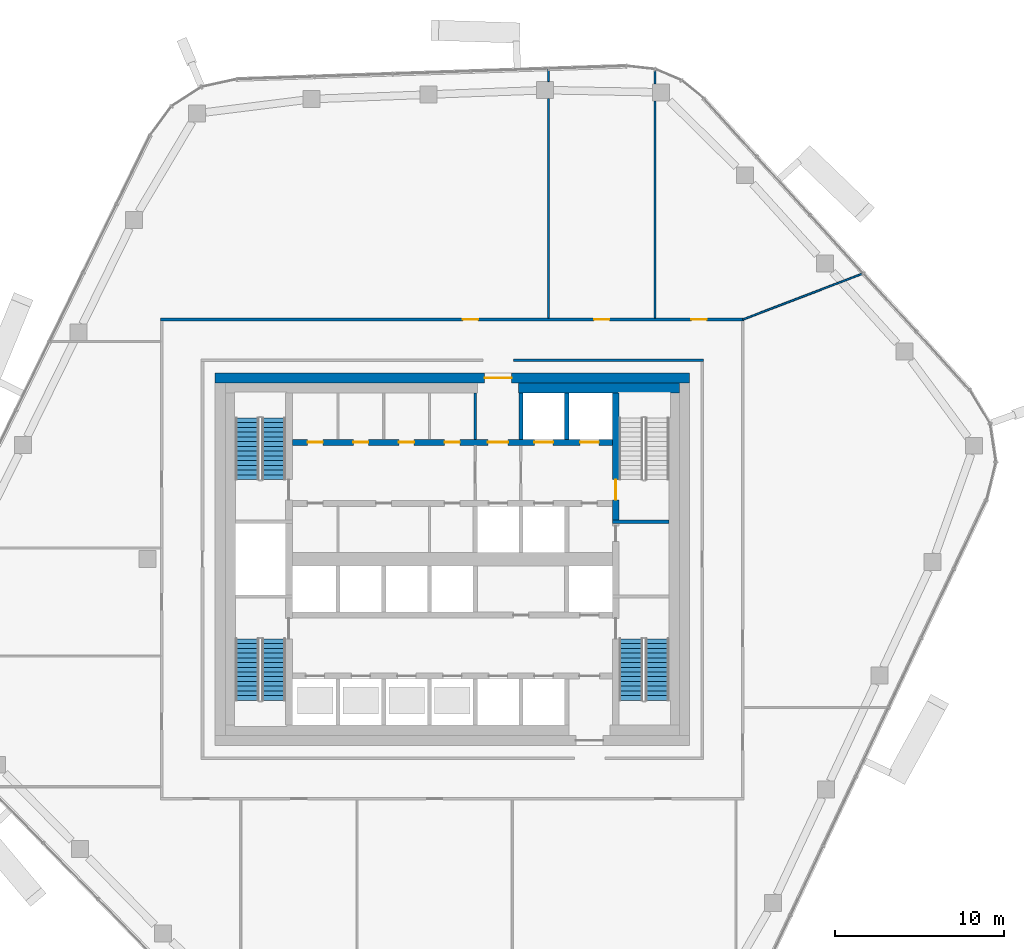
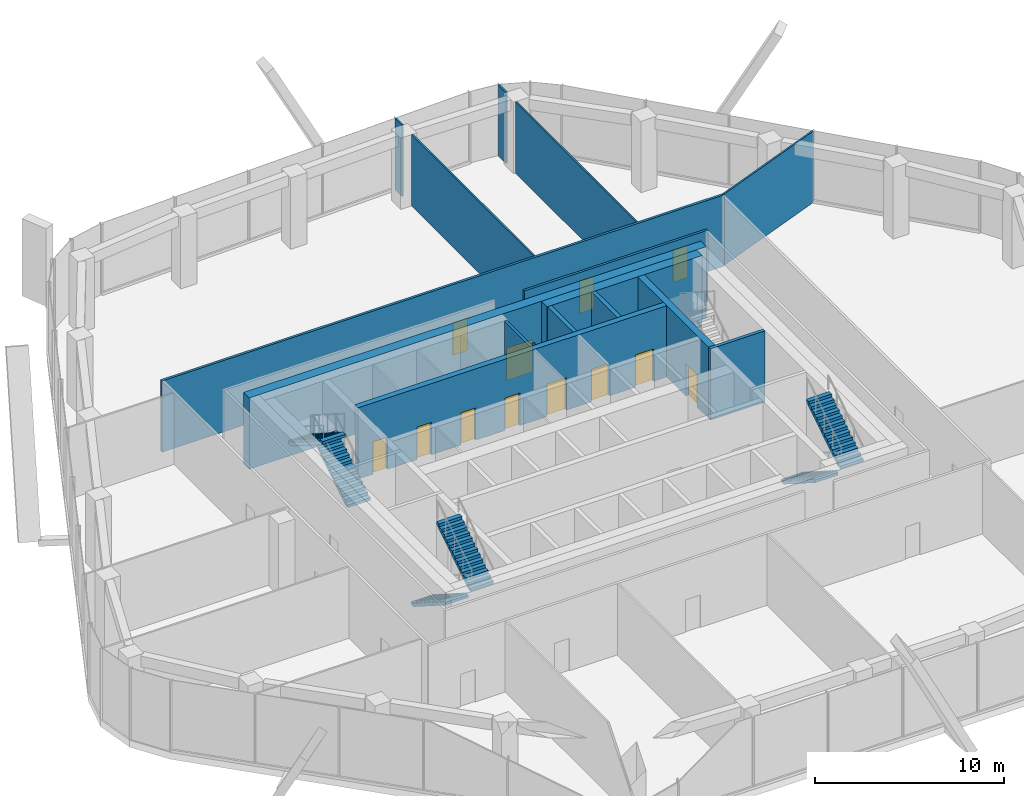
# One storey, part 12 of 20: 15 walls, 12 doors, 6 stair flights, 12 openings, 3 elements without a shape of their own.
"""IFC4 building model written with IfcOpenShell, lengths in metres."""

from ifc_helpers import new_model, si_unit, direction, frame, frame_2d, origin, place, context, subcontext, project, spatial, polyline, rectangle, outline, extrude, material, layer, layer_set, type_object, element, fill, aggregate, save


model = new_model("IFC4")

# Units and contexts
model_context = context("Model", 3, precision=1e-05, world=origin(), true_north=direction((0.0, 1.0)))
body_context = subcontext(model_context, "Body", "Model", "MODEL_VIEW")
ifc_project = project(units=[si_unit("LENGTHUNIT", "METRE"), si_unit("AREAUNIT", "SQUARE_METRE"), si_unit("VOLUMEUNIT", "CUBIC_METRE"), si_unit("PLANEANGLEUNIT", "RADIAN"), si_unit("MASSUNIT", "GRAM", prefix="KILO")], contexts=[model_context])

# Site, building, storey
site_placement = place(None, origin())
site = spatial("IfcSite", under=ifc_project, at=site_placement, CompositionType="ELEMENT")
building_placement = place(site_placement, origin())
building = spatial("IfcBuilding", under=site, at=building_placement, Name="Dongbaek Canopy Tower", CompositionType="ELEMENT")
storey_placement = place(building_placement, frame((0.0, 0.0, 289.199951171875)))
storey = spatial("IfcBuildingStorey", under=building, at=storey_placement, Name="L61", CompositionType="ELEMENT", Elevation=289.199951171875)

# Wall, openings, doors
ifc_material_1 = material(Name="Concrete C60/75", Category="concrete")
ifc_layer_1 = layer(ifc_material_1, 0.35009765625)
ifc_layer_set_1 = layer_set([ifc_layer_1], Name="Core lobby wall 350 Concrete C60/75")
wall_type_1 = type_object("IfcWallType", Name="Core lobby wall 350 Concrete C60/75", PredefinedType="SHEAR", material=ifc_layer_set_1)
wall_1_placement = place(storey_placement, frame((-9.449951171875, 6.89990234375, 0.0), z_axis=(0.0, 0.0, 1.0), x_axis=(1.0, 0.0, 0.0)))
wall_1 = element("IfcWall", 1, at=wall_1_placement, inside=storey, type_object=wall_type_1, Name="Core wall", PredefinedType="SHEAR", context=body_context, shape_type="SweptSolid", body=[
    extrude(rectangle(XDim=18.89990234375, YDim=0.35009765625, at=frame_2d((9.449951171875, 0.0))), origin(), (0.0, 0.0, 1.0), 4.6201171875),
])
opening_1_placement = place(wall_1_placement, frame((11.550048828125, 0.0, 0.0)))
opening_1 = element("IfcOpeningElement", 2, at=opening_1_placement, cuts=wall_1, Name="Opening L61-D017", PredefinedType="OPENING", context=body_context, shape_type="SweptSolid", body=[
    extrude(rectangle(XDim=1.199951171875, YDim=2.10009765625, at=frame_2d((0.60009765625, 1.050048828125))), frame((0.0, 0.18505859375, 0.0), z_axis=(0.0, -1.0, 0.0), x_axis=(1.0, 0.0, 0.0)), (0.0, 0.0, 1.0), 0.3701171875),
])
opening_2_placement = place(wall_1_placement, frame((14.300048828125, 0.0, 0.0)))
opening_2 = element("IfcOpeningElement", 3, at=opening_2_placement, cuts=wall_1, Name="Opening L61-D018", PredefinedType="OPENING", context=body_context, shape_type="SweptSolid", body=[
    extrude(rectangle(XDim=1.10009765625, YDim=2.10009765625, at=frame_2d((0.550048828125, 1.050048828125))), frame((0.0, 0.18505859375, 0.0), z_axis=(0.0, -1.0, 0.0), x_axis=(1.0, 0.0, 0.0)), (0.0, 0.0, 1.0), 0.3701171875),
])
opening_3_placement = place(wall_1_placement, frame((17.0, 0.0, 0.0)))
opening_3 = element("IfcOpeningElement", 4, at=opening_3_placement, cuts=wall_1, Name="Opening L61-D019", PredefinedType="OPENING", context=body_context, shape_type="SweptSolid", body=[
    extrude(rectangle(XDim=1.10009765625, YDim=2.10009765625, at=frame_2d((0.550048828125, 1.050048828125))), frame((0.0, 0.18505859375, 0.0), z_axis=(0.0, -1.0, 0.0), x_axis=(1.0, 0.0, 0.0)), (0.0, 0.0, 1.0), 0.3701171875),
])
opening_4_placement = place(wall_1_placement, frame((0.89990234375, 0.0, 0.0)))
opening_4 = element("IfcOpeningElement", 5, at=opening_4_placement, cuts=wall_1, Name="Opening L61-D032", PredefinedType="OPENING", context=body_context, shape_type="SweptSolid", body=[
    extrude(rectangle(XDim=0.89990234375, YDim=2.10009765625, at=frame_2d((0.449951171875, 1.050048828125))), frame((0.0, 0.18505859375, 0.0), z_axis=(0.0, -1.0, 0.0), x_axis=(1.0, 0.0, 0.0)), (0.0, 0.0, 1.0), 0.3701171875),
])
opening_5_placement = place(wall_1_placement, frame((3.60009765625, 0.0, 0.0)))
opening_5 = element("IfcOpeningElement", 6, at=opening_5_placement, cuts=wall_1, Name="Opening L61-D033", PredefinedType="OPENING", context=body_context, shape_type="SweptSolid", body=[
    extrude(rectangle(XDim=0.89990234375, YDim=2.10009765625, at=frame_2d((0.449951171875, 1.050048828125))), frame((0.0, 0.18505859375, 0.0), z_axis=(0.0, -1.0, 0.0), x_axis=(1.0, 0.0, 0.0)), (0.0, 0.0, 1.0), 0.3701171875),
])
opening_6_placement = place(wall_1_placement, frame((6.300048828125, 0.0, 0.0)))
opening_6 = element("IfcOpeningElement", 7, at=opening_6_placement, cuts=wall_1, Name="Opening L61-D034", PredefinedType="OPENING", context=body_context, shape_type="SweptSolid", body=[
    extrude(rectangle(XDim=0.89990234375, YDim=2.10009765625, at=frame_2d((0.449951171875, 1.050048828125))), frame((0.0, 0.18505859375, 0.0), z_axis=(0.0, -1.0, 0.0), x_axis=(1.0, 0.0, 0.0)), (0.0, 0.0, 1.0), 0.3701171875),
])
opening_7_placement = place(wall_1_placement, frame((9.0, 0.0, 0.0)))
opening_7 = element("IfcOpeningElement", 8, at=opening_7_placement, cuts=wall_1, Name="Opening L61-D035", PredefinedType="OPENING", context=body_context, shape_type="SweptSolid", body=[
    extrude(rectangle(XDim=0.89990234375, YDim=2.10009765625, at=frame_2d((0.449951171875, 1.050048828125))), frame((0.0, 0.18505859375, 0.0), z_axis=(0.0, -1.0, 0.0), x_axis=(1.0, 0.0, 0.0)), (0.0, 0.0, 1.0), 0.3701171875),
])
ifc_material_2 = material(Name="Steel", Category="steel")
door_type_1 = type_object("IfcDoorType", Name="Core room door 900 x 2100", OperationType="SINGLE_SWING_LEFT", PredefinedType="DOOR", material=ifc_material_2)
door_1_placement = place(opening_4_placement, origin())
door_1 = element("IfcDoor", 9, at=door_1_placement, inside=storey, type_object=door_type_1, Name="Door L61-D032", OperationType="SINGLE_SWING_RIGHT", OverallHeight=2.10009765625, OverallWidth=0.89990234375, PredefinedType="DOOR", context=body_context, shape_type="SweptSolid", body=[
    extrude(rectangle(XDim=0.89990234375, YDim=2.10009765625, at=frame_2d((0.449951171875, 1.050048828125))), frame((0.0, 0.02490234375, 0.0), z_axis=(0.0, -1.0, 0.0), x_axis=(1.0, 0.0, 0.0)), (0.0, 0.0, 1.0), 0.050048828125),
])
fill(opening_4, door_1)
door_2_placement = place(opening_5_placement, origin())
door_2 = element("IfcDoor", 10, at=door_2_placement, inside=storey, type_object=door_type_1, Name="Door L61-D033", OperationType="SINGLE_SWING_LEFT", OverallHeight=2.10009765625, OverallWidth=0.89990234375, PredefinedType="DOOR", context=body_context, shape_type="SweptSolid", body=[
    extrude(rectangle(XDim=0.89990234375, YDim=2.10009765625, at=frame_2d((0.449951171875, 1.050048828125))), frame((0.0, 0.02490234375, 0.0), z_axis=(0.0, -1.0, 0.0), x_axis=(1.0, 0.0, 0.0)), (0.0, 0.0, 1.0), 0.050048828125),
])
fill(opening_5, door_2)
door_3_placement = place(opening_6_placement, origin())
door_3 = element("IfcDoor", 11, at=door_3_placement, inside=storey, type_object=door_type_1, Name="Door L61-D034", OperationType="SINGLE_SWING_RIGHT", OverallHeight=2.10009765625, OverallWidth=0.89990234375, PredefinedType="DOOR", context=body_context, shape_type="SweptSolid", body=[
    extrude(rectangle(XDim=0.89990234375, YDim=2.10009765625, at=frame_2d((0.449951171875, 1.050048828125))), frame((0.0, 0.02490234375, 0.0), z_axis=(0.0, -1.0, 0.0), x_axis=(1.0, 0.0, 0.0)), (0.0, 0.0, 1.0), 0.050048828125),
])
fill(opening_6, door_3)
door_4_placement = place(opening_7_placement, origin())
door_4 = element("IfcDoor", 12, at=door_4_placement, inside=storey, type_object=door_type_1, Name="Door L61-D035", OperationType="SINGLE_SWING_LEFT", OverallHeight=2.10009765625, OverallWidth=0.89990234375, PredefinedType="DOOR", context=body_context, shape_type="SweptSolid", body=[
    extrude(rectangle(XDim=0.89990234375, YDim=2.10009765625, at=frame_2d((0.449951171875, 1.050048828125))), frame((0.0, 0.02490234375, 0.0), z_axis=(0.0, -1.0, 0.0), x_axis=(1.0, 0.0, 0.0)), (0.0, 0.0, 1.0), 0.050048828125),
])
fill(opening_7, door_4)
ifc_material_3 = material(Name="Steel", Category="steel")
door_type_2 = type_object("IfcDoorType", Name="Fire lobby door 1200 x 2100", OperationType="SINGLE_SWING_LEFT", PredefinedType="DOOR", material=ifc_material_3)
door_5_placement = place(opening_1_placement, origin())
door_5 = element("IfcDoor", 13, at=door_5_placement, inside=storey, type_object=door_type_2, Name="Door L61-D017", OperationType="SINGLE_SWING_LEFT", OverallHeight=2.10009765625, OverallWidth=1.199951171875, PredefinedType="DOOR", context=body_context, shape_type="SweptSolid", body=[
    extrude(rectangle(XDim=1.199951171875, YDim=2.10009765625, at=frame_2d((0.60009765625, 1.050048828125))), frame((0.0, 0.02490234375, 0.0), z_axis=(0.0, -1.0, 0.0), x_axis=(1.0, 0.0, 0.0)), (0.0, 0.0, 1.0), 0.050048828125),
])
fill(opening_1, door_5)
ifc_material_4 = material(Name="Stainless steel", Category="steel")
door_type_3 = type_object("IfcDoorType", Name="Lift landing door 1100 x 2100", OperationType="DOUBLE_DOOR_SLIDING", PredefinedType="DOOR", material=ifc_material_4)
door_6_placement = place(opening_2_placement, origin())
door_6 = element("IfcDoor", 14, at=door_6_placement, inside=storey, type_object=door_type_3, Name="Landing door FF1", OperationType="DOUBLE_DOOR_SLIDING", OverallHeight=2.10009765625, OverallWidth=1.10009765625, PredefinedType="DOOR", context=body_context, shape_type="SweptSolid", body=[
    extrude(rectangle(XDim=1.10009765625, YDim=2.10009765625, at=frame_2d((0.550048828125, 1.050048828125))), frame((0.0, 0.02490234375, 0.0), z_axis=(0.0, -1.0, 0.0), x_axis=(1.0, 0.0, 0.0)), (0.0, 0.0, 1.0), 0.050048828125),
])
fill(opening_2, door_6)
door_7_placement = place(opening_3_placement, origin())
door_7 = element("IfcDoor", 15, at=door_7_placement, inside=storey, type_object=door_type_3, Name="Landing door FF2", OperationType="DOUBLE_DOOR_SLIDING", OverallHeight=2.10009765625, OverallWidth=1.10009765625, PredefinedType="DOOR", context=body_context, shape_type="SweptSolid", body=[
    extrude(rectangle(XDim=1.10009765625, YDim=2.10009765625, at=frame_2d((0.550048828125, 1.050048828125))), frame((0.0, 0.02490234375, 0.0), z_axis=(0.0, -1.0, 0.0), x_axis=(1.0, 0.0, 0.0)), (0.0, 0.0, 1.0), 0.050048828125),
])
fill(opening_3, door_7)

# Wall, opening, door
ifc_material_5 = material(Name="Concrete C80/95", Category="concrete")
ifc_layer_2 = layer(ifc_material_5, 0.60009765625)
ifc_layer_set_2 = layer_set([ifc_layer_2], Name="Core outer wall 600 Concrete C80/95")
wall_type_2 = type_object("IfcWallType", Name="Core outer wall 600 Concrete C80/95", PredefinedType="SHEAR", material=ifc_layer_set_2)
wall_2_placement = place(storey_placement, frame((-14.0, 10.699951171875, 0.0), z_axis=(0.0, 0.0, 1.0), x_axis=(1.0, 0.0, 0.0)))
wall_2 = element("IfcWall", 16, at=wall_2_placement, inside=storey, type_object=wall_type_2, Name="Core wall", PredefinedType="SHEAR", context=body_context, shape_type="SweptSolid", body=[
    extrude(rectangle(XDim=28.0, YDim=0.60009765625, at=frame_2d((14.0, 0.0))), origin(), (0.0, 0.0, 1.0), 4.6201171875),
])
opening_8_placement = place(wall_2_placement, frame((15.89990234375, 0.0, 0.0)))
opening_8 = element("IfcOpeningElement", 17, at=opening_8_placement, cuts=wall_2, Name="Opening L61-D016", PredefinedType="OPENING", context=body_context, shape_type="SweptSolid", body=[
    extrude(rectangle(XDim=1.60009765625, YDim=2.10009765625, at=frame_2d((0.800048828125, 1.050048828125))), frame((0.0, 0.31005859375, 0.0), z_axis=(0.0, -1.0, 0.0), x_axis=(1.0, 0.0, 0.0)), (0.0, 0.0, 1.0), 0.6201171875),
])
ifc_material_6 = material(Name="Steel", Category="steel")
door_type_4 = type_object("IfcDoorType", Name="Core exit door 1600 x 2100", OperationType="DOUBLE_DOOR_SINGLE_SWING", PredefinedType="DOOR", material=ifc_material_6)
door_8_placement = place(opening_8_placement, origin())
door_8 = element("IfcDoor", 18, at=door_8_placement, inside=storey, type_object=door_type_4, Name="Core exit door", OperationType="DOUBLE_DOOR_SINGLE_SWING", OverallHeight=2.10009765625, OverallWidth=1.60009765625, PredefinedType="DOOR", context=body_context, shape_type="SweptSolid", body=[
    extrude(rectangle(XDim=1.60009765625, YDim=2.10009765625, at=frame_2d((0.800048828125, 1.050048828125))), frame((0.0, 0.02490234375, 0.0), z_axis=(0.0, -1.0, 0.0), x_axis=(1.0, 0.0, 0.0)), (0.0, 0.0, 1.0), 0.050048828125),
])
fill(opening_8, door_8)

# Walls
ifc_material_7 = material(Name="Concrete C60/75", Category="concrete")
ifc_layer_3 = layer(ifc_material_7, 0.60009765625)
ifc_layer_set_3 = layer_set([ifc_layer_3], Name="Core wall lining 600 Concrete C60/75")
wall_type_3 = type_object("IfcWallType", Name="Core wall lining 600 Concrete C60/75", PredefinedType="SHEAR", material=ifc_layer_set_3)
wall_3_placement = place(storey_placement, frame((3.89990234375, 10.10009765625, 0.0), z_axis=(0.0, 0.0, 1.0), x_axis=(1.0, 0.0, 0.0)))
element("IfcWall", 19, at=wall_3_placement, inside=storey, type_object=wall_type_3, Name="Core wall lining", PredefinedType="SHEAR", context=body_context, shape_type="SweptSolid", body=[
    extrude(rectangle(XDim=9.5, YDim=0.60009765625, at=frame_2d((4.75, 0.0))), origin(), (0.0, 0.0, 1.0), 4.6201171875),
])
ifc_material_8 = material(Name="Gypsum board partition, steel stud, 2 x 15 mm fire board", Category="steel")
ifc_layer_4 = layer(ifc_material_8, 0.14990234375)
ifc_layer_set_4 = layer_set([ifc_layer_4], Name="Fire-rated partition 150 gypsum board")
wall_type_4 = type_object("IfcWallType", Name="Fire-rated partition 150 gypsum board", PredefinedType="PARTITIONING", material=ifc_layer_set_4)
wall_4_placement = place(storey_placement, frame((3.60009765625, 11.75, 0.0), z_axis=(0.0, 0.0, 1.0), x_axis=(1.0, 0.0, 0.0)))
element("IfcWall", 20, at=wall_4_placement, inside=storey, type_object=wall_type_4, Name="Corridor partition", PredefinedType="PARTITIONING", context=body_context, shape_type="SweptSolid", body=[
    extrude(rectangle(XDim=11.224853515625, YDim=0.14990234375, at=frame_2d((5.6123046875, 0.0))), origin(), (0.0, 0.0, 1.0), 4.6201171875),
])

# Wall, openings, doors
wall_5_placement = place(storey_placement, frame((-17.22509765625, 14.14990234375, 0.0), z_axis=(0.0, 0.0, 1.0), x_axis=(1.0, 0.0, 0.0)))
wall_5 = element("IfcWall", 21, at=wall_5_placement, inside=storey, type_object=wall_type_4, Name="Corridor partition", PredefinedType="PARTITIONING", context=body_context, shape_type="SweptSolid", body=[
    extrude(rectangle(XDim=34.4501953125, YDim=0.14990234375, at=frame_2d((17.22509765625, 0.0))), origin(), (0.0, 0.0, 1.0), 4.6201171875),
])
opening_9_placement = place(wall_5_placement, frame((31.335205078125, 0.0, 0.0)))
opening_9 = element("IfcOpeningElement", 22, at=opening_9_placement, cuts=wall_5, Name="Opening L61-D009", PredefinedType="OPENING", context=body_context, shape_type="SweptSolid", body=[
    extrude(rectangle(XDim=0.89990234375, YDim=2.10009765625, at=frame_2d((0.449951171875, 1.050048828125))), frame((0.0, 0.0849609375, 0.0), z_axis=(0.0, -1.0, 0.0), x_axis=(1.0, 0.0, 0.0)), (0.0, 0.0, 1.0), 0.169921875),
])
opening_10_placement = place(wall_5_placement, frame((25.60107421875, 0.0, 0.0)))
opening_10 = element("IfcOpeningElement", 23, at=opening_10_placement, cuts=wall_5, Name="Opening L61-D010", PredefinedType="OPENING", context=body_context, shape_type="SweptSolid", body=[
    extrude(rectangle(XDim=0.89990234375, YDim=2.10009765625, at=frame_2d((0.449951171875, 1.050048828125))), frame((0.0, 0.0849609375, 0.0), z_axis=(0.0, -1.0, 0.0), x_axis=(1.0, 0.0, 0.0)), (0.0, 0.0, 1.0), 0.169921875),
])
opening_11_placement = place(wall_5_placement, frame((17.851806640625, 0.0, 0.0)))
opening_11 = element("IfcOpeningElement", 24, at=opening_11_placement, cuts=wall_5, Name="Opening L61-D011", PredefinedType="OPENING", context=body_context, shape_type="SweptSolid", body=[
    extrude(rectangle(XDim=0.89990234375, YDim=2.10009765625, at=frame_2d((0.449951171875, 1.050048828125))), frame((0.0, 0.0849609375, 0.0), z_axis=(0.0, -1.0, 0.0), x_axis=(1.0, 0.0, 0.0)), (0.0, 0.0, 1.0), 0.169921875),
])
ifc_material_9 = material(Name="Timber veneered door leaf", Category="wood")
door_type_5 = type_object("IfcDoorType", Name="Room door 900 x 2100", OperationType="SINGLE_SWING_LEFT", PredefinedType="DOOR", material=ifc_material_9)
door_9_placement = place(opening_9_placement, origin())
door_9 = element("IfcDoor", 25, at=door_9_placement, inside=storey, type_object=door_type_5, Name="Door L61-D009", OperationType="SINGLE_SWING_RIGHT", OverallHeight=2.10009765625, OverallWidth=0.89990234375, PredefinedType="DOOR", context=body_context, shape_type="SweptSolid", body=[
    extrude(rectangle(XDim=0.89990234375, YDim=2.10009765625, at=frame_2d((0.449951171875, 1.050048828125))), frame((0.0, 0.02490234375, 0.0), z_axis=(0.0, -1.0, 0.0), x_axis=(1.0, 0.0, 0.0)), (0.0, 0.0, 1.0), 0.050048828125),
])
fill(opening_9, door_9)
door_10_placement = place(opening_10_placement, origin())
door_10 = element("IfcDoor", 26, at=door_10_placement, inside=storey, type_object=door_type_5, Name="Door L61-D010", OperationType="SINGLE_SWING_LEFT", OverallHeight=2.10009765625, OverallWidth=0.89990234375, PredefinedType="DOOR", context=body_context, shape_type="SweptSolid", body=[
    extrude(rectangle(XDim=0.89990234375, YDim=2.10009765625, at=frame_2d((0.449951171875, 1.050048828125))), frame((0.0, 0.02490234375, 0.0), z_axis=(0.0, -1.0, 0.0), x_axis=(1.0, 0.0, 0.0)), (0.0, 0.0, 1.0), 0.050048828125),
])
fill(opening_10, door_10)
door_11_placement = place(opening_11_placement, origin())
door_11 = element("IfcDoor", 27, at=door_11_placement, inside=storey, type_object=door_type_5, Name="Door L61-D011", OperationType="SINGLE_SWING_RIGHT", OverallHeight=2.10009765625, OverallWidth=0.89990234375, PredefinedType="DOOR", context=body_context, shape_type="SweptSolid", body=[
    extrude(rectangle(XDim=0.89990234375, YDim=2.10009765625, at=frame_2d((0.449951171875, 1.050048828125))), frame((0.0, 0.02490234375, 0.0), z_axis=(0.0, -1.0, 0.0), x_axis=(1.0, 0.0, 0.0)), (0.0, 0.0, 1.0), 0.050048828125),
])
fill(opening_11, door_11)

# Walls
wall_6_placement = place(storey_placement, frame((1.35009765625, 7.074951171875, 0.0), z_axis=(0.0, 0.0, 1.0), x_axis=(0.0, 1.0, 0.0)))
element("IfcWall", 28, at=wall_6_placement, inside=storey, type_object=wall_type_4, Name="Fire lobby partition", PredefinedType="PARTITIONING", context=body_context, shape_type="SweptSolid", body=[
    extrude(rectangle(XDim=2.72509765625, YDim=0.14990234375, at=frame_2d((1.362548828125, 0.0))), origin(), (0.0, 0.0, 1.0), 4.6201171875),
])
ifc_material_10 = material(Name="Concrete C40/50", Category="concrete")
ifc_layer_5 = layer(ifc_material_10, 0.25)
ifc_layer_set_5 = layer_set([ifc_layer_5], Name="Lift shaft wall 250 Concrete C40/50")
wall_type_5 = type_object("IfcWallType", Name="Lift shaft wall 250 Concrete C40/50", PredefinedType="SOLIDWALL", material=ifc_layer_set_5)
for number, where, z_axis, x_axis, name in (
    (29, (6.75, 7.074951171875, 0.0), (0.0, 0.0, 1.0), (0.0, 1.0, 0.0), "Lift shaft wall"),
    (30, (4.050048828125, 7.074951171875, 0.0), (0.0, 0.0, 1.0), (0.0, 1.0, 0.0), "Lift shaft wall"),
):
    element("IfcWall", number, at=place(storey_placement, frame(where, z_axis=z_axis, x_axis=x_axis)), inside=storey, type_object=wall_type_5, Name=name, PredefinedType="SOLIDWALL", context=body_context, shape_type="SweptSolid", body=[
        extrude(rectangle(XDim=2.72509765625, YDim=0.25, at=frame_2d((1.362548828125, 0.0))), origin(), (0.0, 0.0, 1.0), 4.6201171875),
    ])
ifc_material_11 = material(Name="Gypsum board partition, steel stud, 2 x 12.5 mm board", Category="steel")
ifc_layer_6 = layer(ifc_material_11, 0.10009765625)
ifc_layer_set_6 = layer_set([ifc_layer_6], Name="Partition 100 gypsum board")
wall_type_6 = type_object("IfcWallType", Name="Partition 100 gypsum board", PredefinedType="PARTITIONING", material=ifc_layer_set_6)
wall_7_placement = place(storey_placement, frame((17.14990234375, 14.150146484375, 0.0), z_axis=(0.0, 0.0, 1.0), x_axis=(0.93402253364, 0.357214090782, 0.0)))
element("IfcWall", 31, at=wall_7_placement, inside=storey, type_object=wall_type_6, Name="Partition", PredefinedType="PARTITIONING", context=body_context, shape_type="SweptSolid", body=[
    extrude(rectangle(XDim=7.603515625, YDim=0.10009765625, at=frame_2d((3.8017578125, 0.0))), origin(), (0.0, 0.0, 1.0), 4.6201171875),
])
wall_8_placement = place(storey_placement, frame((11.969970703125, 14.22509765625, 0.0), z_axis=(0.0, 0.0, 1.0), x_axis=(0.0, 1.0, 0.0)))
element("IfcWall", 32, at=wall_8_placement, inside=storey, type_object=wall_type_6, Name="Partition", PredefinedType="PARTITIONING", context=body_context, shape_type="SweptSolid", body=[
    extrude(rectangle(XDim=12.837890625, YDim=0.10009765625, at=frame_2d((6.4189453125, 0.0))), origin(), (0.0, 0.0, 1.0), 4.6201171875),
])
wall_9_placement = place(storey_placement, frame((11.969970703125, 28.06298828125, 0.0), z_axis=(0.0, 0.0, 1.0), x_axis=(0.0, 1.0, 0.0)))
element("IfcWall", 33, at=wall_9_placement, inside=storey, type_object=wall_type_6, Name="Partition", PredefinedType="PARTITIONING", context=body_context, shape_type="SweptSolid", body=[
    extrude(rectangle(XDim=0.84521484375, YDim=0.10009765625, at=frame_2d((0.422607421875, 0.0))), origin(), (0.0, 0.0, 1.0), 4.6201171875),
])
wall_10_placement = place(storey_placement, frame((5.681884765625, 14.22509765625, 0.0), z_axis=(0.0, 0.0, 1.0), x_axis=(0.0, 1.0, 0.0)))
element("IfcWall", 34, at=wall_10_placement, inside=storey, type_object=wall_type_6, Name="Partition", PredefinedType="PARTITIONING", context=body_context, shape_type="SweptSolid", body=[
    extrude(rectangle(XDim=12.966796875, YDim=0.10009765625, at=frame_2d((6.4833984375, 0.0))), origin(), (0.0, 0.0, 1.0), 4.6201171875),
])
wall_11_placement = place(storey_placement, frame((5.681884765625, 28.19189453125, 0.0), z_axis=(0.0, 0.0, 1.0), x_axis=(0.0, 1.0, 0.0)))
element("IfcWall", 35, at=wall_11_placement, inside=storey, type_object=wall_type_6, Name="Partition", PredefinedType="PARTITIONING", context=body_context, shape_type="SweptSolid", body=[
    extrude(rectangle(XDim=0.7490234375, YDim=0.10009765625, at=frame_2d((0.37451171875, 0.0))), origin(), (0.0, 0.0, 1.0), 4.6201171875),
])
ifc_material_12 = material(Name="Concrete C60/75", Category="concrete")
ifc_layer_7 = layer(ifc_material_12, 0.199951171875)
ifc_layer_set_7 = layer_set([ifc_layer_7], Name="Riser wall 200 Concrete C60/75")
wall_type_7 = type_object("IfcWallType", Name="Riser wall 200 Concrete C60/75", PredefinedType="SHEAR", material=ifc_layer_set_7)
wall_12_placement = place(storey_placement, frame((9.449951171875, 2.199951171875, 0.0), z_axis=(0.0, 0.0, 1.0), x_axis=(1.0, 0.0, 0.0)))
element("IfcWall", 36, at=wall_12_placement, inside=storey, type_object=wall_type_7, Name="Riser wall", PredefinedType="SHEAR", context=body_context, shape_type="SweptSolid", body=[
    extrude(rectangle(XDim=3.35009765625, YDim=0.199951171875, at=frame_2d((1.675048828125, 0.0))), origin(), (0.0, 0.0, 1.0), 4.6201171875),
])

# Wall, opening, door
ifc_material_13 = material(Name="Concrete C60/75", Category="concrete")
ifc_layer_8 = layer(ifc_material_13, 0.39990234375)
ifc_layer_set_8 = layer_set([ifc_layer_8], Name="Stair wall 400 Concrete C60/75")
wall_type_8 = type_object("IfcWallType", Name="Stair wall 400 Concrete C60/75", PredefinedType="SHEAR", material=ifc_layer_set_8)
wall_13_placement = place(storey_placement, frame((9.64990234375, 9.800048828125, 0.0), z_axis=(0.0, 0.0, 1.0), x_axis=(0.0, -1.0, 0.0)))
wall_13 = element("IfcWall", 37, at=wall_13_placement, inside=storey, type_object=wall_type_8, Name="Stair wall", PredefinedType="SHEAR", context=body_context, shape_type="SweptSolid", body=[
    extrude(rectangle(XDim=7.5, YDim=0.39990234375, at=frame_2d((3.75, 0.0))), origin(), (0.0, 0.0, 1.0), 4.6201171875),
])
opening_12_placement = place(wall_13_placement, frame((5.10009765625, 0.0, 0.0)))
opening_12 = element("IfcOpeningElement", 38, at=opening_12_placement, cuts=wall_13, Name="Opening L61-D040", PredefinedType="OPENING", context=body_context, shape_type="SweptSolid", body=[
    extrude(rectangle(XDim=1.199951171875, YDim=2.10009765625, at=frame_2d((0.60009765625, 1.050048828125))), frame((0.0, 0.2099609375, 0.0), z_axis=(0.0, -1.0, 0.0), x_axis=(1.0, 0.0, 0.0)), (0.0, 0.0, 1.0), 0.419921875),
])
ifc_material_14 = material(Name="Steel", Category="steel")
door_type_6 = type_object("IfcDoorType", Name="Stair door 1200 x 2100", OperationType="SINGLE_SWING_LEFT", PredefinedType="DOOR", material=ifc_material_14)
door_12_placement = place(opening_12_placement, origin())
door_12 = element("IfcDoor", 39, at=door_12_placement, inside=storey, type_object=door_type_6, Name="Stair A door", OperationType="SINGLE_SWING_LEFT", OverallHeight=2.10009765625, OverallWidth=1.199951171875, PredefinedType="DOOR", context=body_context, shape_type="SweptSolid", body=[
    extrude(rectangle(XDim=1.199951171875, YDim=2.10009765625, at=frame_2d((0.60009765625, 1.050048828125))), frame((0.0, 0.02490234375, 0.0), z_axis=(0.0, -1.0, 0.0), x_axis=(1.0, 0.0, 0.0)), (0.0, 0.0, 1.0), 0.050048828125),
])
fill(opening_12, door_12)

# Stair, stair flights
ifc_material_15 = material(Name="Concrete C40/50", Category="concrete")
stair_type = type_object("IfcStairType", Name="Core exit stair", PredefinedType="HALF_TURN_STAIR", material=ifc_material_15)
stair_1_placement = place(storey_placement, origin())
stair_1 = element("IfcStair", 40, at=stair_1_placement, inside=storey, type_object=stair_type, Name="L61 exit stair C", PredefinedType="HALF_TURN_STAIR")
ifc_material_16 = material(Name="Concrete C40/50", Category="concrete")
ifc_layer_9 = layer(ifc_material_16, 0.14990234375)
ifc_layer_set_9 = layer_set([ifc_layer_9], Name="Core stair flight 150 waist")
stair_flight_type = type_object("IfcStairFlightType", Name="Core stair flight 150 waist", PredefinedType="STRAIGHT", material=ifc_layer_set_9)
stair_flight_1_placement = place(storey_placement, frame((-10.550048828125, 4.699951171875, 0.0), z_axis=(0.0, 0.0, 1.0), x_axis=(0.0, 1.0, 0.0)))
stair_flight_1 = element("IfcStairFlight", 41, at=stair_flight_1_placement, type_object=stair_flight_type, Name="ST-C flight 1", NumberOfRisers=14, NumberOfTreads=13, PredefinedType="STRAIGHT", RiserHeight=0.178571429, TreadLength=0.28, context=body_context, shape_type="SweptSolid", body=[
    extrude(outline(polyline([(0.0, 0.0), (0.0, 0.178466796875), (0.280029296875, 0.178466796875), (0.280029296875, 0.357177734375), (0.56005859375, 0.357177734375), (0.56005859375, 0.53564453125), (0.840087890625, 0.53564453125), (0.840087890625, 0.71435546875), (1.1201171875, 0.71435546875), (1.1201171875, 0.892822265625), (1.39990234375, 0.892822265625), (1.39990234375, 1.071533203125), (1.679931640625, 1.071533203125), (1.679931640625, 1.25), (1.9599609375, 1.25), (1.9599609375, 1.428466796875), (2.239990234375, 1.428466796875), (2.239990234375, 1.607177734375), (2.52001953125, 1.607177734375), (2.52001953125, 1.78564453125), (2.800048828125, 1.78564453125), (2.800048828125, 1.96435546875), (3.080078125, 1.96435546875), (3.080078125, 2.142822265625), (3.360107421875, 2.142822265625), (3.360107421875, 2.321533203125), (3.639892578125, 2.321533203125), (3.639892578125, 2.5), (3.639892578125, 2.1435546875), (0.27880859375, 0.0), (0.0, 0.0)])), frame((0.0, 0.699951171875, 0.0), z_axis=(0.0, -1.0, 0.0), x_axis=(1.0, 0.0, 0.0)), (0.0, 0.0, 1.0), 1.39990234375),
])
stair_flight_2_placement = place(storey_placement, frame((-12.10009765625, 8.340087890625, 2.5), z_axis=(0.0, 0.0, 1.0), x_axis=(0.0, -1.0, 0.0)))
stair_flight_2 = element("IfcStairFlight", 42, at=stair_flight_2_placement, type_object=stair_flight_type, Name="ST-C flight 2", NumberOfRisers=14, NumberOfTreads=13, PredefinedType="STRAIGHT", RiserHeight=0.178571429, TreadLength=0.28, context=body_context, shape_type="SweptSolid", body=[
    extrude(outline(polyline([(0.0, 0.0), (0.0, 0.178466796875), (0.280029296875, 0.178466796875), (0.280029296875, 0.357177734375), (0.56005859375, 0.357177734375), (0.56005859375, 0.53564453125), (0.840087890625, 0.53564453125), (0.840087890625, 0.71435546875), (1.1201171875, 0.71435546875), (1.1201171875, 0.892822265625), (1.39990234375, 0.892822265625), (1.39990234375, 1.071533203125), (1.679931640625, 1.071533203125), (1.679931640625, 1.25), (1.9599609375, 1.25), (1.9599609375, 1.428466796875), (2.239990234375, 1.428466796875), (2.239990234375, 1.607177734375), (2.52001953125, 1.607177734375), (2.52001953125, 1.78564453125), (2.800048828125, 1.78564453125), (2.800048828125, 1.96435546875), (3.080078125, 1.96435546875), (3.080078125, 2.142822265625), (3.360107421875, 2.142822265625), (3.360107421875, 2.321533203125), (3.639892578125, 2.321533203125), (3.639892578125, 2.5), (3.639892578125, 2.1435546875), (0.27880859375, 0.0), (0.0, 0.0)])), frame((0.0, 0.699951171875, 0.0), z_axis=(0.0, -1.0, 0.0), x_axis=(1.0, 0.0, 0.0)), (0.0, 0.0, 1.0), 1.39990234375),
])
aggregate(stair_1, [stair_flight_1, stair_flight_2])

stair_2_placement = place(storey_placement, origin())
stair_2 = element("IfcStair", 43, at=stair_2_placement, inside=storey, type_object=stair_type, Name="L61 exit stair B", PredefinedType="HALF_TURN_STAIR")
stair_flight_3_placement = place(storey_placement, frame((10.550048828125, -4.699951171875, 0.0), z_axis=(0.0, 0.0, 1.0), x_axis=(0.0, -1.0, 0.0)))
stair_flight_3 = element("IfcStairFlight", 44, at=stair_flight_3_placement, type_object=stair_flight_type, Name="ST-B flight 1", NumberOfRisers=14, NumberOfTreads=13, PredefinedType="STRAIGHT", RiserHeight=0.178571429, TreadLength=0.28, context=body_context, shape_type="SweptSolid", body=[
    extrude(outline(polyline([(0.0, 0.0), (0.0, 0.178466796875), (0.280029296875, 0.178466796875), (0.280029296875, 0.357177734375), (0.56005859375, 0.357177734375), (0.56005859375, 0.53564453125), (0.840087890625, 0.53564453125), (0.840087890625, 0.71435546875), (1.1201171875, 0.71435546875), (1.1201171875, 0.892822265625), (1.39990234375, 0.892822265625), (1.39990234375, 1.071533203125), (1.679931640625, 1.071533203125), (1.679931640625, 1.25), (1.9599609375, 1.25), (1.9599609375, 1.428466796875), (2.239990234375, 1.428466796875), (2.239990234375, 1.607177734375), (2.52001953125, 1.607177734375), (2.52001953125, 1.78564453125), (2.800048828125, 1.78564453125), (2.800048828125, 1.96435546875), (3.080078125, 1.96435546875), (3.080078125, 2.142822265625), (3.360107421875, 2.142822265625), (3.360107421875, 2.321533203125), (3.639892578125, 2.321533203125), (3.639892578125, 2.5), (3.639892578125, 2.1435546875), (0.27880859375, 0.0), (0.0, 0.0)])), frame((0.0, 0.699951171875, 0.0), z_axis=(0.0, -1.0, 0.0), x_axis=(1.0, 0.0, 0.0)), (0.0, 0.0, 1.0), 1.39990234375),
])
stair_flight_4_placement = place(storey_placement, frame((12.10009765625, -8.340087890625, 2.5), z_axis=(0.0, 0.0, 1.0), x_axis=(0.0, 1.0, 0.0)))
stair_flight_4 = element("IfcStairFlight", 45, at=stair_flight_4_placement, type_object=stair_flight_type, Name="ST-B flight 2", NumberOfRisers=14, NumberOfTreads=13, PredefinedType="STRAIGHT", RiserHeight=0.178571429, TreadLength=0.28, context=body_context, shape_type="SweptSolid", body=[
    extrude(outline(polyline([(0.0, 0.0), (0.0, 0.178466796875), (0.280029296875, 0.178466796875), (0.280029296875, 0.357177734375), (0.56005859375, 0.357177734375), (0.56005859375, 0.53564453125), (0.840087890625, 0.53564453125), (0.840087890625, 0.71435546875), (1.1201171875, 0.71435546875), (1.1201171875, 0.892822265625), (1.39990234375, 0.892822265625), (1.39990234375, 1.071533203125), (1.679931640625, 1.071533203125), (1.679931640625, 1.25), (1.9599609375, 1.25), (1.9599609375, 1.428466796875), (2.239990234375, 1.428466796875), (2.239990234375, 1.607177734375), (2.52001953125, 1.607177734375), (2.52001953125, 1.78564453125), (2.800048828125, 1.78564453125), (2.800048828125, 1.96435546875), (3.080078125, 1.96435546875), (3.080078125, 2.142822265625), (3.360107421875, 2.142822265625), (3.360107421875, 2.321533203125), (3.639892578125, 2.321533203125), (3.639892578125, 2.5), (3.639892578125, 2.1435546875), (0.27880859375, 0.0), (0.0, 0.0)])), frame((0.0, 0.699951171875, 0.0), z_axis=(0.0, -1.0, 0.0), x_axis=(1.0, 0.0, 0.0)), (0.0, 0.0, 1.0), 1.39990234375),
])
aggregate(stair_2, [stair_flight_3, stair_flight_4])

stair_3_placement = place(storey_placement, origin())
stair_3 = element("IfcStair", 46, at=stair_3_placement, inside=storey, type_object=stair_type, Name="L61 exit stair D", PredefinedType="HALF_TURN_STAIR")
stair_flight_5_placement = place(storey_placement, frame((-12.10009765625, -4.699951171875, 0.0), z_axis=(0.0, 0.0, 1.0), x_axis=(0.0, -1.0, 0.0)))
stair_flight_5 = element("IfcStairFlight", 47, at=stair_flight_5_placement, type_object=stair_flight_type, Name="ST-D flight 1", NumberOfRisers=14, NumberOfTreads=13, PredefinedType="STRAIGHT", RiserHeight=0.178571429, TreadLength=0.28, context=body_context, shape_type="SweptSolid", body=[
    extrude(outline(polyline([(0.0, 0.0), (0.0, 0.178466796875), (0.280029296875, 0.178466796875), (0.280029296875, 0.357177734375), (0.56005859375, 0.357177734375), (0.56005859375, 0.53564453125), (0.840087890625, 0.53564453125), (0.840087890625, 0.71435546875), (1.1201171875, 0.71435546875), (1.1201171875, 0.892822265625), (1.39990234375, 0.892822265625), (1.39990234375, 1.071533203125), (1.679931640625, 1.071533203125), (1.679931640625, 1.25), (1.9599609375, 1.25), (1.9599609375, 1.428466796875), (2.239990234375, 1.428466796875), (2.239990234375, 1.607177734375), (2.52001953125, 1.607177734375), (2.52001953125, 1.78564453125), (2.800048828125, 1.78564453125), (2.800048828125, 1.96435546875), (3.080078125, 1.96435546875), (3.080078125, 2.142822265625), (3.360107421875, 2.142822265625), (3.360107421875, 2.321533203125), (3.639892578125, 2.321533203125), (3.639892578125, 2.5), (3.639892578125, 2.1435546875), (0.27880859375, 0.0), (0.0, 0.0)])), frame((0.0, 0.699951171875, 0.0), z_axis=(0.0, -1.0, 0.0), x_axis=(1.0, 0.0, 0.0)), (0.0, 0.0, 1.0), 1.39990234375),
])
stair_flight_6_placement = place(storey_placement, frame((-10.550048828125, -8.340087890625, 2.5), z_axis=(0.0, 0.0, 1.0), x_axis=(0.0, 1.0, 0.0)))
stair_flight_6 = element("IfcStairFlight", 48, at=stair_flight_6_placement, type_object=stair_flight_type, Name="ST-D flight 2", NumberOfRisers=14, NumberOfTreads=13, PredefinedType="STRAIGHT", RiserHeight=0.178571429, TreadLength=0.28, context=body_context, shape_type="SweptSolid", body=[
    extrude(outline(polyline([(0.0, 0.0), (0.0, 0.178466796875), (0.280029296875, 0.178466796875), (0.280029296875, 0.357177734375), (0.56005859375, 0.357177734375), (0.56005859375, 0.53564453125), (0.840087890625, 0.53564453125), (0.840087890625, 0.71435546875), (1.1201171875, 0.71435546875), (1.1201171875, 0.892822265625), (1.39990234375, 0.892822265625), (1.39990234375, 1.071533203125), (1.679931640625, 1.071533203125), (1.679931640625, 1.25), (1.9599609375, 1.25), (1.9599609375, 1.428466796875), (2.239990234375, 1.428466796875), (2.239990234375, 1.607177734375), (2.52001953125, 1.607177734375), (2.52001953125, 1.78564453125), (2.800048828125, 1.78564453125), (2.800048828125, 1.96435546875), (3.080078125, 1.96435546875), (3.080078125, 2.142822265625), (3.360107421875, 2.142822265625), (3.360107421875, 2.321533203125), (3.639892578125, 2.321533203125), (3.639892578125, 2.5), (3.639892578125, 2.1435546875), (0.27880859375, 0.0), (0.0, 0.0)])), frame((0.0, 0.699951171875, 0.0), z_axis=(0.0, -1.0, 0.0), x_axis=(1.0, 0.0, 0.0)), (0.0, 0.0, 1.0), 1.39990234375),
])
aggregate(stair_3, [stair_flight_5, stair_flight_6])

save(model, "model.ifc")
